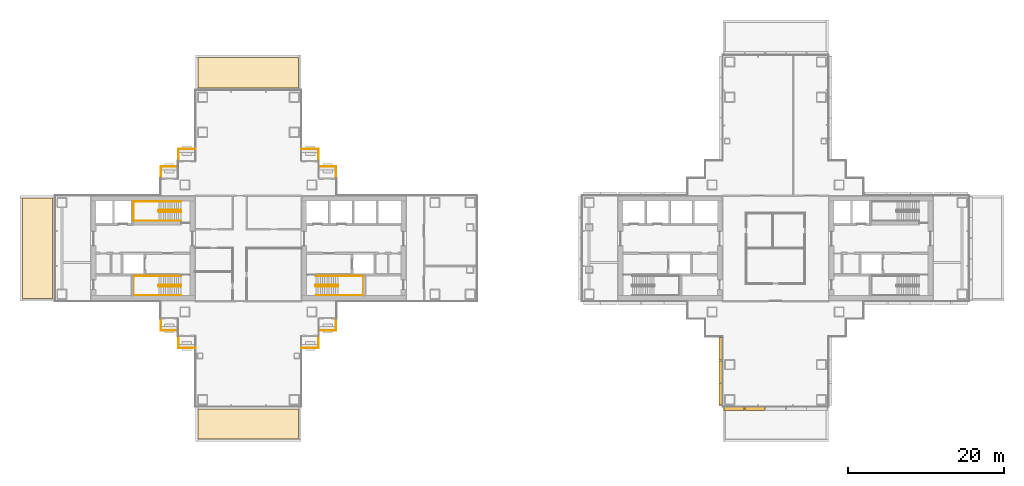
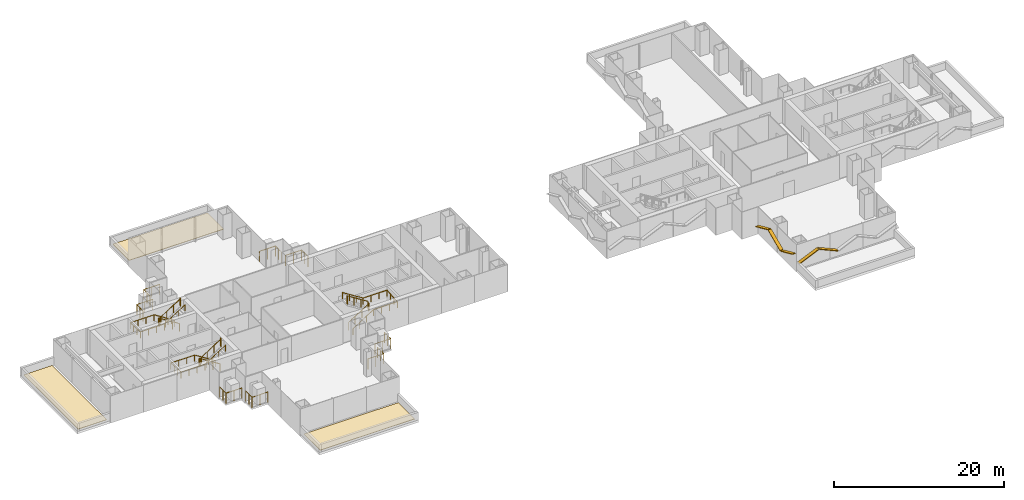
# One storey, part 17 of 20: 14 railings, 5 shading devices, 3 coverings.
"""IFC4 building model written with IfcOpenShell, lengths in metres."""

from ifc_helpers import new_model, si_unit, direction, frame, origin, origin_2d, place, context, subcontext, project, spatial, polyline, rectangle, circle, outline, extrude, material, layer, layer_set, material_profile, profile_set, type_object, element, save


model = new_model("IFC4")

# Units and contexts
model_context = context("Model", 3, precision=1e-05, world=origin(), true_north=direction((0.0, 1.0)))
body_context = subcontext(model_context, "Body", "Model", "MODEL_VIEW")
ifc_project = project(units=[si_unit("LENGTHUNIT", "METRE"), si_unit("AREAUNIT", "SQUARE_METRE"), si_unit("VOLUMEUNIT", "CUBIC_METRE"), si_unit("PLANEANGLEUNIT", "RADIAN"), si_unit("MASSUNIT", "GRAM", prefix="KILO")], contexts=[model_context])

# Site, building, storey
site_placement = place(None, origin())
site = spatial("IfcSite", under=ifc_project, at=site_placement, CompositionType="ELEMENT")
building_placement = place(site_placement, origin())
building = spatial("IfcBuilding", under=site, at=building_placement, Name="Shamsa Quay Exchange Towers", CompositionType="ELEMENT")
storey_placement = place(building_placement, frame((0.0, 0.0, 81.89990234375)))
storey = spatial("IfcBuildingStorey", under=building, at=storey_placement, Name="L18", CompositionType="ELEMENT", Elevation=81.89990234375)

# Railings
ifc_material_1 = material(Name="Steel S355, black powder-coated", Category="steel")
railing_type_1 = type_object("IfcRailingType", Name="BALCONY GUARD 1500", PredefinedType="GUARDRAIL", material=ifc_material_1)
for number, where, name in (
    (1, (-22.550048828125, 9.02099609375, 0.0), "Balcony guard T1-PKEN L18"),
    (2, (-24.800048828125, 11.27099609375, 0.0), "Balcony guard T1-PKEN L18"),
):
    element("IfcRailing", number, at=place(storey_placement, frame(where)), inside=storey, type_object=railing_type_1, Name=name, PredefinedType="GUARDRAIL", context=body_context, shape_type="SweptSolid", body=[
        extrude(circle(Radius=0.02392578125, at=origin_2d()), frame((0.0, 0.0, 1.47607421875), z_axis=(0.0, 1.0, 0.0), x_axis=(-1.0, 0.0, 0.0)), (0.0, 0.0, 1.0), 1.47900390625),
        extrude(circle(Radius=0.02392578125, at=origin_2d()), frame((0.0, 1.47900390625, 1.47607421875), z_axis=(-1.0, 0.0, 0.0), x_axis=(0.0, -1.0, 0.0)), (0.0, 0.0, 1.0), 2.161865234375),
        extrude(circle(Radius=0.02099609375, at=origin_2d()), origin(), (0.0, 0.0, 1.0), 1.451904296875),
        extrude(circle(Radius=0.02099609375, at=origin_2d()), frame((0.0, 0.739501953125, 0.0)), (0.0, 0.0, 1.0), 1.451904296875),
        extrude(circle(Radius=0.02099609375, at=origin_2d()), frame((0.0, 1.47900390625, 0.0)), (0.0, 0.0, 1.0), 1.451904296875),
        extrude(circle(Radius=0.02099609375, at=origin_2d()), frame((-1.0810546875, 1.47900390625, 0.0)), (0.0, 0.0, 1.0), 1.451904296875),
        extrude(circle(Radius=0.02099609375, at=origin_2d()), frame((-2.161865234375, 1.47900390625, 0.0)), (0.0, 0.0, 1.0), 1.451904296875),
    ])
for number, where, name in (
    (3, (-24.7119140625, -10.5, 0.0), "Balcony guard T1-PKES L18"),
    (4, (-26.9619140625, -12.75, 0.0), "Balcony guard T1-PKES L18"),
):
    element("IfcRailing", number, at=place(storey_placement, frame(where)), inside=storey, type_object=railing_type_1, Name=name, PredefinedType="GUARDRAIL", context=body_context, shape_type="SweptSolid", body=[
        extrude(circle(Radius=0.02392578125, at=origin_2d()), frame((0.0, 0.0, 1.47607421875), z_axis=(1.0, 0.0, 0.0), x_axis=(0.0, 1.0, 0.0)), (0.0, 0.0, 1.0), 2.161865234375),
        extrude(circle(Radius=0.02392578125, at=origin_2d()), frame((2.161865234375, 0.0, 1.47607421875), z_axis=(0.0, 1.0, 0.0), x_axis=(-1.0, 0.0, 0.0)), (0.0, 0.0, 1.0), 1.47900390625),
        extrude(circle(Radius=0.02099609375, at=origin_2d()), origin(), (0.0, 0.0, 1.0), 1.451904296875),
        extrude(circle(Radius=0.02099609375, at=origin_2d()), frame((1.0810546875, 0.0, 0.0)), (0.0, 0.0, 1.0), 1.451904296875),
        extrude(circle(Radius=0.02099609375, at=origin_2d()), frame((2.161865234375, 0.0, 0.0)), (0.0, 0.0, 1.0), 1.451904296875),
        extrude(circle(Radius=0.02099609375, at=origin_2d()), frame((2.161865234375, 0.739501953125, 0.0)), (0.0, 0.0, 1.0), 1.451904296875),
        extrude(circle(Radius=0.02099609375, at=origin_2d()), frame((2.161865234375, 1.47900390625, 0.0)), (0.0, 0.0, 1.0), 1.451904296875),
    ])
for number, where, name in (
    (5, (-40.5380859375, 12.75, 0.0), "Balcony guard T1-PKWN L18"),
    (6, (-42.7880859375, 10.5, 0.0), "Balcony guard T1-PKWN L18"),
):
    element("IfcRailing", number, at=place(storey_placement, frame(where)), inside=storey, type_object=railing_type_1, Name=name, PredefinedType="GUARDRAIL", context=body_context, shape_type="SweptSolid", body=[
        extrude(circle(Radius=0.02392578125, at=origin_2d()), frame((0.0, 0.0, 1.47607421875), z_axis=(-1.0, 0.0, 0.0), x_axis=(0.0, -1.0, 0.0)), (0.0, 0.0, 1.0), 2.161865234375),
        extrude(circle(Radius=0.02392578125, at=origin_2d()), frame((-2.161865234375, 0.0, 1.47607421875), z_axis=(0.0, -1.0, 0.0), x_axis=(1.0, 0.0, 0.0)), (0.0, 0.0, 1.0), 1.47900390625),
        extrude(circle(Radius=0.02099609375, at=origin_2d()), origin(), (0.0, 0.0, 1.0), 1.451904296875),
        extrude(circle(Radius=0.02099609375, at=origin_2d()), frame((-1.0810546875, 0.0, 0.0)), (0.0, 0.0, 1.0), 1.451904296875),
        extrude(circle(Radius=0.02099609375, at=origin_2d()), frame((-2.161865234375, 0.0, 0.0)), (0.0, 0.0, 1.0), 1.451904296875),
        extrude(circle(Radius=0.02099609375, at=origin_2d()), frame((-2.161865234375, -0.739501953125, 0.0)), (0.0, 0.0, 1.0), 1.451904296875),
        extrude(circle(Radius=0.02099609375, at=origin_2d()), frame((-2.161865234375, -1.47900390625, 0.0)), (0.0, 0.0, 1.0), 1.451904296875),
    ])
for number, where, name in (
    (7, (-44.949951171875, -9.02099609375, 0.0), "Balcony guard T1-PKWS L18"),
    (8, (-42.699951171875, -11.27099609375, 0.0), "Balcony guard T1-PKWS L18"),
):
    element("IfcRailing", number, at=place(storey_placement, frame(where)), inside=storey, type_object=railing_type_1, Name=name, PredefinedType="GUARDRAIL", context=body_context, shape_type="SweptSolid", body=[
        extrude(circle(Radius=0.02392578125, at=origin_2d()), frame((0.0, 0.0, 1.47607421875), z_axis=(0.0, -1.0, 0.0), x_axis=(1.0, 0.0, 0.0)), (0.0, 0.0, 1.0), 1.47900390625),
        extrude(circle(Radius=0.02392578125, at=origin_2d()), frame((0.0, -1.47900390625, 1.47607421875), z_axis=(1.0, 0.0, 0.0), x_axis=(0.0, 1.0, 0.0)), (0.0, 0.0, 1.0), 2.161865234375),
        extrude(circle(Radius=0.02099609375, at=origin_2d()), origin(), (0.0, 0.0, 1.0), 1.451904296875),
        extrude(circle(Radius=0.02099609375, at=origin_2d()), frame((0.0, -0.739501953125, 0.0)), (0.0, 0.0, 1.0), 1.451904296875),
        extrude(circle(Radius=0.02099609375, at=origin_2d()), frame((0.0, -1.47900390625, 0.0)), (0.0, 0.0, 1.0), 1.451904296875),
        extrude(circle(Radius=0.02099609375, at=origin_2d()), frame((1.0810546875, -1.47900390625, 0.0)), (0.0, 0.0, 1.0), 1.451904296875),
        extrude(circle(Radius=0.02099609375, at=origin_2d()), frame((2.161865234375, -1.47900390625, 0.0)), (0.0, 0.0, 1.0), 1.451904296875),
    ])

# Shading devices
ifc_material_2 = material(Name="Aluminium EN AW-6063 T6, black anodised", Category="aluminium")
ifc_material_profile = material_profile(ifc_material_2, rectangle(XDim=0.449951171875, YDim=0.10009765625, at=origin_2d()), Name="FIN450x100")
ifc_profile_set = profile_set([ifc_material_profile], Name="Aluminium EN AW-6063 T6, black anodised")
shading_device_type = type_object("IfcShadingDeviceType", Name="FIN 450x100 BLACK ALUMINIUM", PredefinedType="USERDEFINED", material=ifc_profile_set)
shading_device_1_placement = place(storey_placement, frame((26.735107421875, -11.43798828125, 0.968505859375), z_axis=(0.0, -0.913558535862, 0.406707267643), x_axis=(1.0, 0.0, 0.0)))
element("IfcShadingDevice", 9, at=shading_device_1_placement, inside=storey, type_object=shading_device_type, Name="FIN T2 chevron rib", ObjectType="FIN", PredefinedType="USERDEFINED", context=body_context, shape_type="SweptSolid", body=[
    extrude(rectangle(XDim=0.449951171875, YDim=0.10009765625, at=origin_2d()), origin(), (0.0, 0.0, 1.0), 3.10595703125),
])
shading_device_2_placement = place(storey_placement, frame((26.735107421875, -14.375244140625, 2.220703125), z_axis=(0.0, -0.913520954647, -0.406791673244), x_axis=(1.0, 0.0, 0.0)))
element("IfcShadingDevice", 10, at=shading_device_2_placement, inside=storey, type_object=shading_device_type, Name="FIN T2 chevron rib", ObjectType="FIN", PredefinedType="USERDEFINED", context=body_context, shape_type="SweptSolid", body=[
    extrude(rectangle(XDim=0.449951171875, YDim=0.10009765625, at=origin_2d()), origin(), (0.0, 0.0, 1.0), 3.05126953125),
])
shading_device_3_placement = place(storey_placement, frame((26.735107421875, -17.2626953125, 0.968505859375), z_axis=(0.0, -0.913558535862, 0.406707267643), x_axis=(1.0, 0.0, 0.0)))
element("IfcShadingDevice", 11, at=shading_device_3_placement, inside=storey, type_object=shading_device_type, Name="FIN T2 chevron rib", ObjectType="FIN", PredefinedType="USERDEFINED", context=body_context, shape_type="SweptSolid", body=[
    extrude(rectangle(XDim=0.449951171875, YDim=0.10009765625, at=origin_2d()), origin(), (0.0, 0.0, 1.0), 3.10595703125),
])
shading_device_4_placement = place(storey_placement, frame((27.14990234375, -20.514892578125, 1.0234375), z_axis=(0.913527255138, 0.0, 0.406777524109), x_axis=(0.0, 1.0, 0.0)))
element("IfcShadingDevice", 12, at=shading_device_4_placement, inside=storey, type_object=shading_device_type, Name="FIN T2 chevron rib", ObjectType="FIN", PredefinedType="USERDEFINED", context=body_context, shape_type="SweptSolid", body=[
    extrude(rectangle(XDim=0.449951171875, YDim=0.10009765625, at=origin_2d()), origin(), (0.0, 0.0, 1.0), 2.835205078125),
])
shading_device_5_placement = place(storey_placement, frame((29.840087890625, -20.514892578125, 2.16552734375), z_axis=(0.913536125794, 0.0, -0.406757602103), x_axis=(0.0, 1.0, 0.0)))
element("IfcShadingDevice", 13, at=shading_device_5_placement, inside=storey, type_object=shading_device_type, Name="FIN T2 chevron rib", ObjectType="FIN", PredefinedType="USERDEFINED", context=body_context, shape_type="SweptSolid", body=[
    extrude(rectangle(XDim=0.449951171875, YDim=0.10009765625, at=origin_2d()), origin(), (0.0, 0.0, 1.0), 2.7802734375),
])

# Coverings
ifc_material_3 = material(Name="Bituminous waterproofing membrane with ballast")
ifc_layer = layer(ifc_material_3, 0.06005859375)
ifc_layer_set = layer_set([ifc_layer], Name="ROOF MEMBRANE 60")
covering_type = type_object("IfcCoveringType", Name="ROOF MEMBRANE 60", PredefinedType="ROOFING", material=ifc_layer_set)
covering_1_placement = place(storey_placement, origin())
element("IfcCovering", 14, at=covering_1_placement, inside=storey, type_object=covering_type, Name="Roof membrane 1.1", PredefinedType="ROOFING", context=body_context, shape_type="SweptSolid", body=[
    extrude(outline(polyline([(-58.820068359375, -6.429931640625), (-62.679931640625, -6.429931640625), (-62.679931640625, 6.429931640625), (-58.820068359375, 6.429931640625), (-58.820068359375, -6.429931640625)])), origin(), (0.0, 0.0, 1.0), 0.06005859375),
])
covering_2_placement = place(storey_placement, origin())
element("IfcCovering", 15, at=covering_2_placement, inside=storey, type_object=covering_type, Name="Roof membrane 2.1", PredefinedType="ROOFING", context=body_context, shape_type="SweptSolid", body=[
    extrude(outline(polyline([(-40.179931640625, -20.570068359375), (-27.320068359375, -20.570068359375), (-27.320068359375, -24.429931640625), (-40.179931640625, -24.429931640625), (-40.179931640625, -20.570068359375)])), origin(), (0.0, 0.0, 1.0), 0.06005859375),
])
covering_3_placement = place(storey_placement, origin())
element("IfcCovering", 16, at=covering_3_placement, inside=storey, type_object=covering_type, Name="Roof membrane 3.1", PredefinedType="ROOFING", context=body_context, shape_type="SweptSolid", body=[
    extrude(outline(polyline([(-40.179931640625, 20.570068359375), (-40.179931640625, 24.429931640625), (-27.320068359375, 24.429931640625), (-27.320068359375, 20.570068359375), (-40.179931640625, 20.570068359375)])), origin(), (0.0, 0.0, 1.0), 0.06005859375),
])

# Railings
ifc_material_4 = material(Name="Stainless steel", Category="steel")
railing_type_2 = type_object("IfcRailingType", Name="STAIR GUARD 1100", PredefinedType="GUARDRAIL", material=ifc_material_4)
railing_1_placement = place(storey_placement, frame((-25.10009765625, -4.89990234375, 0.177490234375)))
element("IfcRailing", 17, at=railing_1_placement, inside=storey, type_object=railing_type_2, Name="L18 ST1 stair guard 1", PredefinedType="GUARDRAIL", context=body_context, shape_type="SweptSolid", body=[
    extrude(circle(Radius=0.02392578125, at=origin_2d()), frame((0.0, 0.0, 1.076171875), z_axis=(0.844908973607, 0.0, 0.534910110503), x_axis=(0.0, 1.0, 0.0)), (0.0, 0.0, 1.0), 3.31396484375),
    extrude(circle(Radius=0.02392578125, at=origin_2d()), frame((2.800048828125, 0.0, 2.8486328125), z_axis=(0.708833529934, 0.705375805398, 0.0), x_axis=(-0.705375805398, 0.708833529934, 0.0)), (0.0, 0.0, 1.0), 0.070556640625),
    extrude(circle(Radius=0.02392578125, at=origin_2d()), frame((2.85009765625, 0.0498046875, 2.8486328125), z_axis=(0.0, 1.0, 0.0), x_axis=(-1.0, 0.0, 0.0)), (0.0, 0.0, 1.0), 0.150146484375),
    extrude(circle(Radius=0.02392578125, at=origin_2d()), frame((2.85009765625, 0.199951171875, 2.8486328125), z_axis=(-0.262233686654, 0.262233686654, 0.928691007369), x_axis=(-0.707106781187, -0.707106781187, 0.0)), (0.0, 0.0, 1.0), 0.19091796875),
    extrude(circle(Radius=0.02392578125, at=origin_2d()), frame((2.800048828125, 0.25, 3.02587890625), z_axis=(-0.844908973607, 0.0, 0.534910110503), x_axis=(0.0, -1.0, 0.0)), (0.0, 0.0, 1.0), 3.31396484375),
    extrude(circle(Radius=0.02392578125, at=origin_2d()), frame((0.0, 0.25, 4.798828125), z_axis=(-0.24142163986, -0.970420317083, 0.0), x_axis=(0.970420317083, -0.24142163986, 0.0)), (0.0, 0.0, 1.0), 0.206298828125),
    extrude(circle(Radius=0.02392578125, at=origin_2d()), frame((-0.0498046875, 0.0498046875, 4.798828125), z_axis=(0.0, 1.0, 0.0), x_axis=(-1.0, 0.0, 0.0)), (0.0, 0.0, 1.0), 0.150146484375),
    extrude(circle(Radius=0.02099609375, at=origin_2d()), origin(), (0.0, 0.0, 1.0), 1.052001953125),
    extrude(circle(Radius=0.02099609375, at=origin_2d()), frame((0.933349609375, 0.0, 0.5908203125)), (0.0, 0.0, 1.0), 1.052001953125),
    extrude(circle(Radius=0.02099609375, at=origin_2d()), frame((1.86669921875, 0.0, 1.181884765625)), (0.0, 0.0, 1.0), 1.052001953125),
    extrude(circle(Radius=0.02099609375, at=origin_2d()), frame((2.800048828125, 0.0, 1.772705078125)), (0.0, 0.0, 1.0), 1.052001953125),
    extrude(circle(Radius=0.02099609375, at=origin_2d()), frame((2.85009765625, 0.0498046875, 1.772705078125)), (0.0, 0.0, 1.0), 1.052001953125),
    extrude(circle(Radius=0.02099609375, at=origin_2d()), frame((2.85009765625, 0.199951171875, 1.772705078125)), (0.0, 0.0, 1.0), 1.052001953125),
    extrude(circle(Radius=0.02099609375, at=origin_2d()), frame((2.800048828125, 0.25, 1.949951171875)), (0.0, 0.0, 1.0), 1.052001953125),
    extrude(circle(Radius=0.02099609375, at=origin_2d()), frame((1.86669921875, 0.25, 2.540771484375)), (0.0, 0.0, 1.0), 1.052001953125),
    extrude(circle(Radius=0.02099609375, at=origin_2d()), frame((0.933349609375, 0.25, 3.1318359375)), (0.0, 0.0, 1.0), 1.052001953125),
    extrude(circle(Radius=0.02099609375, at=origin_2d()), frame((0.0, 0.25, 3.72265625)), (0.0, 0.0, 1.0), 1.052001953125),
    extrude(circle(Radius=0.02099609375, at=origin_2d()), frame((-0.0498046875, 0.0498046875, 3.72265625)), (0.0, 0.0, 1.0), 1.052001953125),
    extrude(circle(Radius=0.02099609375, at=origin_2d()), frame((-0.0498046875, 0.199951171875, 3.72265625)), (0.0, 0.0, 1.0), 1.052001953125),
])
railing_2_placement = place(storey_placement, frame((-42.39990234375, -4.64990234375, 0.177490234375)))
element("IfcRailing", 18, at=railing_2_placement, inside=storey, type_object=railing_type_2, Name="L18 ST2 stair guard 1", PredefinedType="GUARDRAIL", context=body_context, shape_type="SweptSolid", body=[
    extrude(circle(Radius=0.02392578125, at=origin_2d()), frame((0.0, 0.0, 1.076171875), z_axis=(-0.844908973607, 0.0, 0.534910110503), x_axis=(0.0, -1.0, 0.0)), (0.0, 0.0, 1.0), 3.31396484375),
    extrude(circle(Radius=0.02392578125, at=origin_2d()), frame((-2.800048828125, 0.0, 2.8486328125), z_axis=(-0.707106781187, -0.707106781187, 0.0), x_axis=(0.707106781187, -0.707106781187, 0.0)), (0.0, 0.0, 1.0), 0.07080078125),
    extrude(circle(Radius=0.02392578125, at=origin_2d()), frame((-2.85009765625, -0.050048828125, 2.8486328125), z_axis=(0.0, -1.0, 0.0), x_axis=(1.0, 0.0, 0.0)), (0.0, 0.0, 1.0), 0.150146484375),
    extrude(circle(Radius=0.02392578125, at=origin_2d()), frame((-2.85009765625, -0.2001953125, 2.8486328125), z_axis=(0.262321481514, -0.261041864531, 0.929001929653), x_axis=(0.705375805398, 0.708833529934, 0.0)), (0.0, 0.0, 1.0), 0.190673828125),
    extrude(circle(Radius=0.02392578125, at=origin_2d()), frame((-2.800048828125, -0.25, 3.02587890625), z_axis=(0.844908973607, 0.0, 0.534910110503), x_axis=(0.0, 1.0, 0.0)), (0.0, 0.0, 1.0), 3.31396484375),
    extrude(circle(Radius=0.02392578125, at=origin_2d()), frame((0.0, -0.25, 4.798828125), z_axis=(0.241699205484, 0.970351222016, 0.0), x_axis=(-0.970351222016, 0.241699205484, 0.0)), (0.0, 0.0, 1.0), 0.2060546875),
    extrude(circle(Radius=0.02392578125, at=origin_2d()), frame((0.0498046875, -0.050048828125, 4.798828125), z_axis=(0.0, -1.0, 0.0), x_axis=(1.0, 0.0, 0.0)), (0.0, 0.0, 1.0), 0.150146484375),
    extrude(circle(Radius=0.02099609375, at=origin_2d()), origin(), (0.0, 0.0, 1.0), 1.052001953125),
    extrude(circle(Radius=0.02099609375, at=origin_2d()), frame((-0.933349609375, 0.0, 0.5908203125)), (0.0, 0.0, 1.0), 1.052001953125),
    extrude(circle(Radius=0.02099609375, at=origin_2d()), frame((-1.86669921875, 0.0, 1.181884765625)), (0.0, 0.0, 1.0), 1.052001953125),
    extrude(circle(Radius=0.02099609375, at=origin_2d()), frame((-2.800048828125, 0.0, 1.772705078125)), (0.0, 0.0, 1.0), 1.052001953125),
    extrude(circle(Radius=0.02099609375, at=origin_2d()), frame((-2.85009765625, -0.050048828125, 1.772705078125)), (0.0, 0.0, 1.0), 1.052001953125),
    extrude(circle(Radius=0.02099609375, at=origin_2d()), frame((-2.85009765625, -0.2001953125, 1.772705078125)), (0.0, 0.0, 1.0), 1.052001953125),
    extrude(circle(Radius=0.02099609375, at=origin_2d()), frame((-2.800048828125, -0.25, 1.949951171875)), (0.0, 0.0, 1.0), 1.052001953125),
    extrude(circle(Radius=0.02099609375, at=origin_2d()), frame((-1.86669921875, -0.25, 2.540771484375)), (0.0, 0.0, 1.0), 1.052001953125),
    extrude(circle(Radius=0.02099609375, at=origin_2d()), frame((-0.933349609375, -0.25, 3.1318359375)), (0.0, 0.0, 1.0), 1.052001953125),
    extrude(circle(Radius=0.02099609375, at=origin_2d()), frame((0.0, -0.25, 3.72265625)), (0.0, 0.0, 1.0), 1.052001953125),
    extrude(circle(Radius=0.02099609375, at=origin_2d()), frame((0.0498046875, -0.050048828125, 3.72265625)), (0.0, 0.0, 1.0), 1.052001953125),
    extrude(circle(Radius=0.02099609375, at=origin_2d()), frame((0.0498046875, -0.2001953125, 3.72265625)), (0.0, 0.0, 1.0), 1.052001953125),
])
railing_3_placement = place(storey_placement, frame((-42.39990234375, 4.89990234375, 0.177490234375)))
element("IfcRailing", 19, at=railing_3_placement, inside=storey, type_object=railing_type_2, Name="L18 ST3 stair guard 1", PredefinedType="GUARDRAIL", context=body_context, shape_type="SweptSolid", body=[
    extrude(circle(Radius=0.02392578125, at=origin_2d()), frame((0.0, 0.0, 1.076171875), z_axis=(-0.844908973607, 0.0, 0.534910110503), x_axis=(0.0, -1.0, 0.0)), (0.0, 0.0, 1.0), 3.31396484375),
    extrude(circle(Radius=0.02392578125, at=origin_2d()), frame((-2.800048828125, 0.0, 2.8486328125), z_axis=(-0.708833529934, -0.705375805398, 0.0), x_axis=(0.705375805398, -0.708833529934, 0.0)), (0.0, 0.0, 1.0), 0.070556640625),
    extrude(circle(Radius=0.02392578125, at=origin_2d()), frame((-2.85009765625, -0.0498046875, 2.8486328125), z_axis=(0.0, -1.0, 0.0), x_axis=(1.0, 0.0, 0.0)), (0.0, 0.0, 1.0), 0.150146484375),
    extrude(circle(Radius=0.02392578125, at=origin_2d()), frame((-2.85009765625, -0.199951171875, 2.8486328125), z_axis=(0.262233686654, -0.262233686654, 0.928691007369), x_axis=(0.707106781187, 0.707106781187, 0.0)), (0.0, 0.0, 1.0), 0.19091796875),
    extrude(circle(Radius=0.02392578125, at=origin_2d()), frame((-2.800048828125, -0.25, 3.02587890625), z_axis=(0.844908973607, 0.0, 0.534910110503), x_axis=(0.0, 1.0, 0.0)), (0.0, 0.0, 1.0), 3.31396484375),
    extrude(circle(Radius=0.02392578125, at=origin_2d()), frame((0.0, -0.25, 4.798828125), z_axis=(0.24142163986, 0.970420317083, 0.0), x_axis=(-0.970420317083, 0.24142163986, 0.0)), (0.0, 0.0, 1.0), 0.206298828125),
    extrude(circle(Radius=0.02392578125, at=origin_2d()), frame((0.0498046875, -0.0498046875, 4.798828125), z_axis=(0.0, -1.0, 0.0), x_axis=(1.0, 0.0, 0.0)), (0.0, 0.0, 1.0), 0.150146484375),
    extrude(circle(Radius=0.02099609375, at=origin_2d()), origin(), (0.0, 0.0, 1.0), 1.052001953125),
    extrude(circle(Radius=0.02099609375, at=origin_2d()), frame((-0.933349609375, 0.0, 0.5908203125)), (0.0, 0.0, 1.0), 1.052001953125),
    extrude(circle(Radius=0.02099609375, at=origin_2d()), frame((-1.86669921875, 0.0, 1.181884765625)), (0.0, 0.0, 1.0), 1.052001953125),
    extrude(circle(Radius=0.02099609375, at=origin_2d()), frame((-2.800048828125, 0.0, 1.772705078125)), (0.0, 0.0, 1.0), 1.052001953125),
    extrude(circle(Radius=0.02099609375, at=origin_2d()), frame((-2.85009765625, -0.0498046875, 1.772705078125)), (0.0, 0.0, 1.0), 1.052001953125),
    extrude(circle(Radius=0.02099609375, at=origin_2d()), frame((-2.85009765625, -0.199951171875, 1.772705078125)), (0.0, 0.0, 1.0), 1.052001953125),
    extrude(circle(Radius=0.02099609375, at=origin_2d()), frame((-2.800048828125, -0.25, 1.949951171875)), (0.0, 0.0, 1.0), 1.052001953125),
    extrude(circle(Radius=0.02099609375, at=origin_2d()), frame((-1.86669921875, -0.25, 2.540771484375)), (0.0, 0.0, 1.0), 1.052001953125),
    extrude(circle(Radius=0.02099609375, at=origin_2d()), frame((-0.933349609375, -0.25, 3.1318359375)), (0.0, 0.0, 1.0), 1.052001953125),
    extrude(circle(Radius=0.02099609375, at=origin_2d()), frame((0.0, -0.25, 3.72265625)), (0.0, 0.0, 1.0), 1.052001953125),
    extrude(circle(Radius=0.02099609375, at=origin_2d()), frame((0.0498046875, -0.0498046875, 3.72265625)), (0.0, 0.0, 1.0), 1.052001953125),
    extrude(circle(Radius=0.02099609375, at=origin_2d()), frame((0.0498046875, -0.199951171875, 3.72265625)), (0.0, 0.0, 1.0), 1.052001953125),
])
railing_type_3 = type_object("IfcRailingType", Name="STAIR HANDRAIL 900", PredefinedType="HANDRAIL", material=ifc_material_4)
railing_4_placement = place(storey_placement, frame((-25.10009765625, -6.0, 0.177490234375)))
element("IfcRailing", 20, at=railing_4_placement, inside=storey, type_object=railing_type_3, Name="L18 ST1 stair handrail 1", PredefinedType="HANDRAIL", context=body_context, shape_type="SweptSolid", body=[
    extrude(circle(Radius=0.02392578125, at=origin_2d()), frame((0.0, 0.0, 0.8759765625), z_axis=(0.844908973607, 0.0, 0.534910110503), x_axis=(0.0, 1.0, 0.0)), (0.0, 0.0, 1.0), 3.31396484375),
    extrude(circle(Radius=0.02392578125, at=origin_2d()), frame((2.800048828125, 0.0, 2.6484375), z_axis=(1.0, 0.0, 0.0), x_axis=(0.0, 1.0, 0.0)), (0.0, 0.0, 1.0), 3.25),
    extrude(circle(Radius=0.02392578125, at=origin_2d()), frame((6.050048828125, 0.0, 2.6484375), z_axis=(0.0, 0.997393199914, 0.07215819264), x_axis=(-1.0, 0.0, 0.0)), (0.0, 0.0, 1.0), 2.456298828125),
    extrude(circle(Radius=0.02392578125, at=origin_2d()), frame((6.050048828125, 2.449951171875, 2.82568359375), z_axis=(-1.0, 0.0, 0.0), x_axis=(0.0, -1.0, 0.0)), (0.0, 0.0, 1.0), 3.25),
    extrude(circle(Radius=0.02392578125, at=origin_2d()), frame((2.800048828125, 2.449951171875, 2.82568359375), z_axis=(-0.844908973607, 0.0, 0.534910110503), x_axis=(0.0, -1.0, 0.0)), (0.0, 0.0, 1.0), 3.31396484375),
    extrude(circle(Radius=0.02099609375, at=origin_2d()), origin(), (0.0, 0.0, 1.0), 0.851806640625),
    extrude(circle(Radius=0.02099609375, at=origin_2d()), frame((0.933349609375, 0.0, 0.5908203125)), (0.0, 0.0, 1.0), 0.851806640625),
    extrude(circle(Radius=0.02099609375, at=origin_2d()), frame((1.86669921875, 0.0, 1.181884765625)), (0.0, 0.0, 1.0), 0.851806640625),
    extrude(circle(Radius=0.02099609375, at=origin_2d()), frame((2.800048828125, 0.0, 1.772705078125)), (0.0, 0.0, 1.0), 0.851806640625),
    extrude(circle(Radius=0.02099609375, at=origin_2d()), frame((3.88330078125, 0.0, 1.772705078125)), (0.0, 0.0, 1.0), 0.851806640625),
    extrude(circle(Radius=0.02099609375, at=origin_2d()), frame((4.966796875, 0.0, 1.772705078125)), (0.0, 0.0, 1.0), 0.851806640625),
    extrude(circle(Radius=0.02099609375, at=origin_2d()), frame((6.050048828125, 0.0, 1.772705078125)), (0.0, 0.0, 1.0), 0.851806640625),
    extrude(circle(Radius=0.02099609375, at=origin_2d()), frame((6.050048828125, 0.816650390625, 1.831787109375)), (0.0, 0.0, 1.0), 0.851806640625),
    extrude(circle(Radius=0.02099609375, at=origin_2d()), frame((6.050048828125, 1.63330078125, 1.890869140625)), (0.0, 0.0, 1.0), 0.851806640625),
    extrude(circle(Radius=0.02099609375, at=origin_2d()), frame((6.050048828125, 2.449951171875, 1.949951171875)), (0.0, 0.0, 1.0), 0.851806640625),
    extrude(circle(Radius=0.02099609375, at=origin_2d()), frame((4.966796875, 2.449951171875, 1.949951171875)), (0.0, 0.0, 1.0), 0.851806640625),
    extrude(circle(Radius=0.02099609375, at=origin_2d()), frame((3.88330078125, 2.449951171875, 1.949951171875)), (0.0, 0.0, 1.0), 0.851806640625),
    extrude(circle(Radius=0.02099609375, at=origin_2d()), frame((2.800048828125, 2.449951171875, 1.949951171875)), (0.0, 0.0, 1.0), 0.851806640625),
    extrude(circle(Radius=0.02099609375, at=origin_2d()), frame((1.86669921875, 2.449951171875, 2.540771484375)), (0.0, 0.0, 1.0), 0.851806640625),
    extrude(circle(Radius=0.02099609375, at=origin_2d()), frame((0.933349609375, 2.449951171875, 3.1318359375)), (0.0, 0.0, 1.0), 0.851806640625),
    extrude(circle(Radius=0.02099609375, at=origin_2d()), frame((0.0, 2.449951171875, 3.72265625)), (0.0, 0.0, 1.0), 0.851806640625),
])
railing_5_placement = place(storey_placement, frame((-42.39990234375, -3.550048828125, 0.177490234375)))
element("IfcRailing", 21, at=railing_5_placement, inside=storey, type_object=railing_type_3, Name="L18 ST2 stair handrail 1", PredefinedType="HANDRAIL", context=body_context, shape_type="SweptSolid", body=[
    extrude(circle(Radius=0.02392578125, at=origin_2d()), frame((0.0, 0.0, 0.8759765625), z_axis=(-0.844908973607, 0.0, 0.534910110503), x_axis=(0.0, -1.0, 0.0)), (0.0, 0.0, 1.0), 3.31396484375),
    extrude(circle(Radius=0.02392578125, at=origin_2d()), frame((-2.800048828125, 0.0, 2.6484375), z_axis=(-1.0, 0.0, 0.0), x_axis=(0.0, -1.0, 0.0)), (0.0, 0.0, 1.0), 3.25),
    extrude(circle(Radius=0.02392578125, at=origin_2d()), frame((-6.050048828125, 0.0, 2.6484375), z_axis=(0.0, -0.997393199914, 0.07215819264), x_axis=(1.0, 0.0, 0.0)), (0.0, 0.0, 1.0), 2.456298828125),
    extrude(circle(Radius=0.02392578125, at=origin_2d()), frame((-6.050048828125, -2.449951171875, 2.82568359375), z_axis=(1.0, 0.0, 0.0), x_axis=(0.0, 1.0, 0.0)), (0.0, 0.0, 1.0), 3.25),
    extrude(circle(Radius=0.02392578125, at=origin_2d()), frame((-2.800048828125, -2.449951171875, 2.82568359375), z_axis=(0.844908973607, 0.0, 0.534910110503), x_axis=(0.0, 1.0, 0.0)), (0.0, 0.0, 1.0), 3.31396484375),
    extrude(circle(Radius=0.02099609375, at=origin_2d()), origin(), (0.0, 0.0, 1.0), 0.851806640625),
    extrude(circle(Radius=0.02099609375, at=origin_2d()), frame((-0.933349609375, 0.0, 0.5908203125)), (0.0, 0.0, 1.0), 0.851806640625),
    extrude(circle(Radius=0.02099609375, at=origin_2d()), frame((-1.86669921875, 0.0, 1.181884765625)), (0.0, 0.0, 1.0), 0.851806640625),
    extrude(circle(Radius=0.02099609375, at=origin_2d()), frame((-2.800048828125, 0.0, 1.772705078125)), (0.0, 0.0, 1.0), 0.851806640625),
    extrude(circle(Radius=0.02099609375, at=origin_2d()), frame((-3.88330078125, 0.0, 1.772705078125)), (0.0, 0.0, 1.0), 0.851806640625),
    extrude(circle(Radius=0.02099609375, at=origin_2d()), frame((-4.966796875, 0.0, 1.772705078125)), (0.0, 0.0, 1.0), 0.851806640625),
    extrude(circle(Radius=0.02099609375, at=origin_2d()), frame((-6.050048828125, 0.0, 1.772705078125)), (0.0, 0.0, 1.0), 0.851806640625),
    extrude(circle(Radius=0.02099609375, at=origin_2d()), frame((-6.050048828125, -0.816650390625, 1.831787109375)), (0.0, 0.0, 1.0), 0.851806640625),
    extrude(circle(Radius=0.02099609375, at=origin_2d()), frame((-6.050048828125, -1.63330078125, 1.890869140625)), (0.0, 0.0, 1.0), 0.851806640625),
    extrude(circle(Radius=0.02099609375, at=origin_2d()), frame((-6.050048828125, -2.449951171875, 1.949951171875)), (0.0, 0.0, 1.0), 0.851806640625),
    extrude(circle(Radius=0.02099609375, at=origin_2d()), frame((-4.966796875, -2.449951171875, 1.949951171875)), (0.0, 0.0, 1.0), 0.851806640625),
    extrude(circle(Radius=0.02099609375, at=origin_2d()), frame((-3.88330078125, -2.449951171875, 1.949951171875)), (0.0, 0.0, 1.0), 0.851806640625),
    extrude(circle(Radius=0.02099609375, at=origin_2d()), frame((-2.800048828125, -2.449951171875, 1.949951171875)), (0.0, 0.0, 1.0), 0.851806640625),
    extrude(circle(Radius=0.02099609375, at=origin_2d()), frame((-1.86669921875, -2.449951171875, 2.540771484375)), (0.0, 0.0, 1.0), 0.851806640625),
    extrude(circle(Radius=0.02099609375, at=origin_2d()), frame((-0.933349609375, -2.449951171875, 3.1318359375)), (0.0, 0.0, 1.0), 0.851806640625),
    extrude(circle(Radius=0.02099609375, at=origin_2d()), frame((0.0, -2.449951171875, 3.72265625)), (0.0, 0.0, 1.0), 0.851806640625),
])
railing_6_placement = place(storey_placement, frame((-42.39990234375, 6.0, 0.177490234375)))
element("IfcRailing", 22, at=railing_6_placement, inside=storey, type_object=railing_type_3, Name="L18 ST3 stair handrail 1", PredefinedType="HANDRAIL", context=body_context, shape_type="SweptSolid", body=[
    extrude(circle(Radius=0.02392578125, at=origin_2d()), frame((0.0, 0.0, 0.8759765625), z_axis=(-0.844908973607, 0.0, 0.534910110503), x_axis=(0.0, -1.0, 0.0)), (0.0, 0.0, 1.0), 3.31396484375),
    extrude(circle(Radius=0.02392578125, at=origin_2d()), frame((-2.800048828125, 0.0, 2.6484375), z_axis=(-1.0, 0.0, 0.0), x_axis=(0.0, -1.0, 0.0)), (0.0, 0.0, 1.0), 3.25),
    extrude(circle(Radius=0.02392578125, at=origin_2d()), frame((-6.050048828125, 0.0, 2.6484375), z_axis=(0.0, -0.997393199914, 0.07215819264), x_axis=(1.0, 0.0, 0.0)), (0.0, 0.0, 1.0), 2.456298828125),
    extrude(circle(Radius=0.02392578125, at=origin_2d()), frame((-6.050048828125, -2.449951171875, 2.82568359375), z_axis=(1.0, 0.0, 0.0), x_axis=(0.0, 1.0, 0.0)), (0.0, 0.0, 1.0), 3.25),
    extrude(circle(Radius=0.02392578125, at=origin_2d()), frame((-2.800048828125, -2.449951171875, 2.82568359375), z_axis=(0.844908973607, 0.0, 0.534910110503), x_axis=(0.0, 1.0, 0.0)), (0.0, 0.0, 1.0), 3.31396484375),
    extrude(circle(Radius=0.02099609375, at=origin_2d()), origin(), (0.0, 0.0, 1.0), 0.851806640625),
    extrude(circle(Radius=0.02099609375, at=origin_2d()), frame((-0.933349609375, 0.0, 0.5908203125)), (0.0, 0.0, 1.0), 0.851806640625),
    extrude(circle(Radius=0.02099609375, at=origin_2d()), frame((-1.86669921875, 0.0, 1.181884765625)), (0.0, 0.0, 1.0), 0.851806640625),
    extrude(circle(Radius=0.02099609375, at=origin_2d()), frame((-2.800048828125, 0.0, 1.772705078125)), (0.0, 0.0, 1.0), 0.851806640625),
    extrude(circle(Radius=0.02099609375, at=origin_2d()), frame((-3.88330078125, 0.0, 1.772705078125)), (0.0, 0.0, 1.0), 0.851806640625),
    extrude(circle(Radius=0.02099609375, at=origin_2d()), frame((-4.966796875, 0.0, 1.772705078125)), (0.0, 0.0, 1.0), 0.851806640625),
    extrude(circle(Radius=0.02099609375, at=origin_2d()), frame((-6.050048828125, 0.0, 1.772705078125)), (0.0, 0.0, 1.0), 0.851806640625),
    extrude(circle(Radius=0.02099609375, at=origin_2d()), frame((-6.050048828125, -0.816650390625, 1.831787109375)), (0.0, 0.0, 1.0), 0.851806640625),
    extrude(circle(Radius=0.02099609375, at=origin_2d()), frame((-6.050048828125, -1.63330078125, 1.890869140625)), (0.0, 0.0, 1.0), 0.851806640625),
    extrude(circle(Radius=0.02099609375, at=origin_2d()), frame((-6.050048828125, -2.449951171875, 1.949951171875)), (0.0, 0.0, 1.0), 0.851806640625),
    extrude(circle(Radius=0.02099609375, at=origin_2d()), frame((-4.966796875, -2.449951171875, 1.949951171875)), (0.0, 0.0, 1.0), 0.851806640625),
    extrude(circle(Radius=0.02099609375, at=origin_2d()), frame((-3.88330078125, -2.449951171875, 1.949951171875)), (0.0, 0.0, 1.0), 0.851806640625),
    extrude(circle(Radius=0.02099609375, at=origin_2d()), frame((-2.800048828125, -2.449951171875, 1.949951171875)), (0.0, 0.0, 1.0), 0.851806640625),
    extrude(circle(Radius=0.02099609375, at=origin_2d()), frame((-1.86669921875, -2.449951171875, 2.540771484375)), (0.0, 0.0, 1.0), 0.851806640625),
    extrude(circle(Radius=0.02099609375, at=origin_2d()), frame((-0.933349609375, -2.449951171875, 3.1318359375)), (0.0, 0.0, 1.0), 0.851806640625),
    extrude(circle(Radius=0.02099609375, at=origin_2d()), frame((0.0, -2.449951171875, 3.72265625)), (0.0, 0.0, 1.0), 0.851806640625),
])

save(model, "model.ifc")
